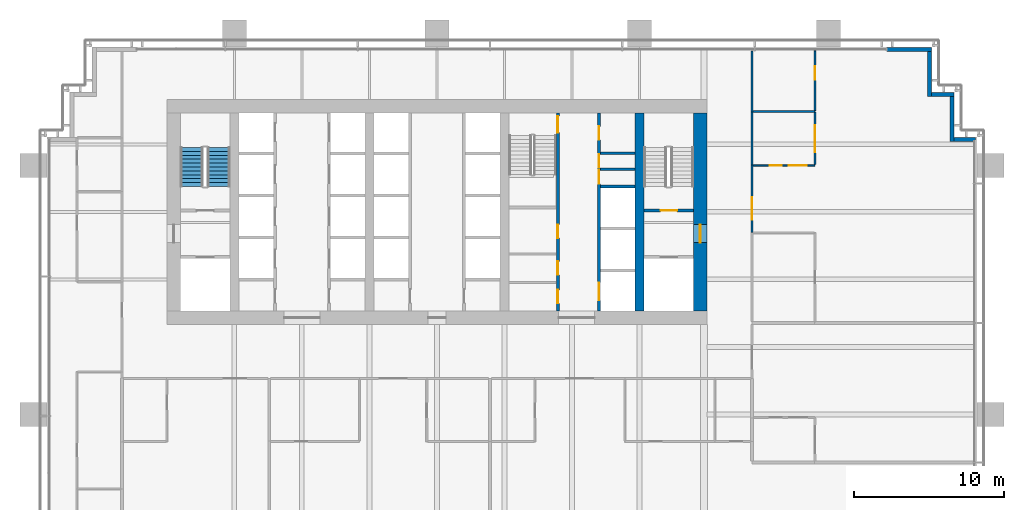
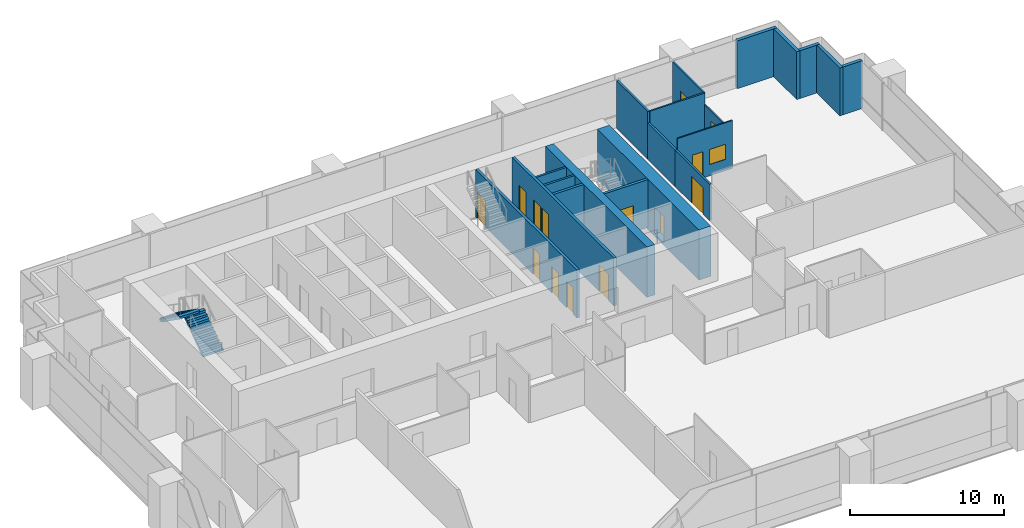
# One storey, part 15 of 19: 20 walls, 13 doors, 2 stair flights, 2 windows, 15 openings, 1 element without a shape of its own.
"""IFC4 building model written with IfcOpenShell, lengths in metres."""

from ifc_helpers import new_model, si_unit, direction, frame, frame_2d, origin, place, context, subcontext, project, spatial, polyline, rectangle, outline, extrude, material, layer, layer_set, type_object, element, fill, aggregate, save


model = new_model("IFC4")

# Units and contexts
model_context = context("Model", 3, precision=1e-05, world=origin(), true_north=direction((0.0, 1.0)))
body_context = subcontext(model_context, "Body", "Model", "MODEL_VIEW")
ifc_project = project(units=[si_unit("LENGTHUNIT", "METRE"), si_unit("AREAUNIT", "SQUARE_METRE"), si_unit("VOLUMEUNIT", "CUBIC_METRE"), si_unit("PLANEANGLEUNIT", "RADIAN"), si_unit("MASSUNIT", "GRAM", prefix="KILO")], contexts=[model_context])

# Site, building, storey
site_placement = place(None, origin())
site = spatial("IfcSite", under=ifc_project, at=site_placement, CompositionType="ELEMENT")
building_placement = place(site_placement, origin())
building = spatial("IfcBuilding", under=site, at=building_placement, Name="Rattan Terrace Tower", CompositionType="ELEMENT")
storey_placement = place(building_placement, frame((0.0, 0.0, 87.699951171875)))
storey = spatial("IfcBuildingStorey", under=building, at=storey_placement, Name="L19", CompositionType="ELEMENT", Elevation=87.699951171875)

# Walls
ifc_material_1 = material(Name="Gypsum board partition")
ifc_layer_1 = layer(ifc_material_1, 0.14990234375)
ifc_layer_set_1 = layer_set([ifc_layer_1], Name="Core partition 150")
wall_type_1 = type_object("IfcWallType", Name="Core partition 150", PredefinedType="PARTITIONING", material=ifc_layer_set_1)
for number, where, z_axis, x_axis, name in (
    (1, (10.89990234375, 2.85595703125, 0.0), (0.0, 0.0, 1.0), (1.0, 0.0, 0.0), "Riser room wall"),
    (2, (10.89990234375, 3.912109375, 0.0), (0.0, 0.0, 1.0), (1.0, 0.0, 0.0), "Riser room wall"),
):
    element("IfcWall", number, at=place(storey_placement, frame(where, z_axis=z_axis, x_axis=x_axis)), inside=storey, type_object=wall_type_1, Name=name, PredefinedType="PARTITIONING", context=body_context, shape_type="SweptSolid", body=[
        extrude(rectangle(XDim=2.300048828125, YDim=0.14990234375, at=frame_2d((1.14990234375, 0.0))), origin(), (0.0, 0.0, 1.0), 3.800048828125),
    ])

# Wall, opening, door
ifc_material_2 = material(Name="Gypsum board partition")
ifc_layer_2 = layer(ifc_material_2, 0.199951171875)
ifc_layer_set_2 = layer_set([ifc_layer_2], Name="Core partition 200")
wall_type_2 = type_object("IfcWallType", Name="Core partition 200", PredefinedType="PARTITIONING", material=ifc_layer_set_2)
wall_1_placement = place(storey_placement, frame((13.800048828125, 0.10009765625, 0.0), z_axis=(0.0, 0.0, 1.0), x_axis=(1.0, 0.0, 0.0)))
wall_1 = element("IfcWall", 3, at=wall_1_placement, inside=storey, type_object=wall_type_2, Name="Stair enclosure wall", PredefinedType="PARTITIONING", context=body_context, shape_type="SweptSolid", body=[
    extrude(rectangle(XDim=3.300048828125, YDim=0.199951171875, at=frame_2d((1.64990234375, 0.0))), origin(), (0.0, 0.0, 1.0), 3.800048828125),
])
opening_1_placement = place(wall_1_placement, frame((1.10009765625, 0.0, 0.0)))
opening_1 = element("IfcOpeningElement", 4, at=opening_1_placement, cuts=wall_1, Name="Opening L19-D004", PredefinedType="OPENING", context=body_context, shape_type="SweptSolid", body=[
    extrude(rectangle(XDim=1.10009765625, YDim=2.10009765625, at=frame_2d((0.550048828125, 1.050048828125))), frame((0.0, 0.110595703125, 0.0), z_axis=(0.0, -1.0, 0.0), x_axis=(1.0, 0.0, 0.0)), (0.0, 0.0, 1.0), 0.220947265625),
])
ifc_material_3 = material(Name="Hollow-metal fire door leaf")
door_type_1 = type_object("IfcDoorType", Name="Core stair door 1100", OperationType="NOTDEFINED", PredefinedType="DOOR", material=ifc_material_3)
door_1_placement = place(opening_1_placement, origin())
door_1 = element("IfcDoor", 5, at=door_1_placement, inside=storey, type_object=door_type_1, Name="Door L19-D004", OperationType="SINGLE_SWING_LEFT", OverallHeight=2.10009765625, OverallWidth=1.10009765625, PredefinedType="DOOR", context=body_context, shape_type="SweptSolid", body=[
    extrude(rectangle(XDim=1.10009765625, YDim=2.10009765625, at=frame_2d((0.550048828125, 1.050048828125))), frame((0.0, 0.02490234375, 0.0), z_axis=(0.0, -1.0, 0.0), x_axis=(1.0, 0.0, 0.0)), (0.0, 0.0, 1.0), 0.050048828125),
])
fill(opening_1, door_1)

# Wall, openings, doors
wall_2_placement = place(storey_placement, frame((8.050048828125, -6.60009765625, 0.0), z_axis=(0.0, 0.0, 1.0), x_axis=(0.0, 1.0, 0.0)))
wall_2 = element("IfcWall", 6, at=wall_2_placement, inside=storey, type_object=wall_type_2, Name="Lobby wall west", PredefinedType="PARTITIONING", context=body_context, shape_type="SweptSolid", body=[
    extrude(rectangle(XDim=13.2001953125, YDim=0.199951171875, at=frame_2d((6.60009765625, 0.0))), origin(), (0.0, 0.0, 1.0), 3.800048828125),
])
opening_2_placement = place(wall_2_placement, frame((0.501953125, 0.0, 0.0)))
opening_2 = element("IfcOpeningElement", 7, at=opening_2_placement, cuts=wall_2, Name="Opening L19-D011", PredefinedType="OPENING", context=body_context, shape_type="SweptSolid", body=[
    extrude(rectangle(XDim=0.89990234375, YDim=2.10009765625, at=frame_2d((0.449951171875, 1.050048828125))), frame((0.0, 0.110595703125, 0.0), z_axis=(0.0, -1.0, 0.0), x_axis=(1.0, 0.0, 0.0)), (0.0, 0.0, 1.0), 0.220947265625),
])
opening_3_placement = place(wall_2_placement, frame((2.406005859375, 0.0, 0.0)))
opening_3 = element("IfcOpeningElement", 8, at=opening_3_placement, cuts=wall_2, Name="Opening L19-D012", PredefinedType="OPENING", context=body_context, shape_type="SweptSolid", body=[
    extrude(rectangle(XDim=0.89990234375, YDim=2.10009765625, at=frame_2d((0.449951171875, 1.050048828125))), frame((0.0, 0.110595703125, 0.0), z_axis=(0.0, -1.0, 0.0), x_axis=(1.0, 0.0, 0.0)), (0.0, 0.0, 1.0), 0.220947265625),
])
opening_4_placement = place(wall_2_placement, frame((4.85400390625, 0.0, 0.0)))
opening_4 = element("IfcOpeningElement", 9, at=opening_4_placement, cuts=wall_2, Name="Opening L19-D013", PredefinedType="OPENING", context=body_context, shape_type="SweptSolid", body=[
    extrude(rectangle(XDim=0.89990234375, YDim=2.10009765625, at=frame_2d((0.449951171875, 1.050048828125))), frame((0.0, 0.110595703125, 0.0), z_axis=(0.0, -1.0, 0.0), x_axis=(1.0, 0.0, 0.0)), (0.0, 0.0, 1.0), 0.220947265625),
])
opening_5_placement = place(wall_2_placement, frame((11.89990234375, 0.0, 0.0)))
opening_5 = element("IfcOpeningElement", 10, at=opening_5_placement, cuts=wall_2, Name="Opening L19-D014", PredefinedType="OPENING", context=body_context, shape_type="SweptSolid", body=[
    extrude(rectangle(XDim=1.10009765625, YDim=2.10009765625, at=frame_2d((0.550048828125, 1.050048828125))), frame((0.0, 0.110595703125, 0.0), z_axis=(0.0, -1.0, 0.0), x_axis=(1.0, 0.0, 0.0)), (0.0, 0.0, 1.0), 0.220947265625),
])
door_2_placement = place(opening_5_placement, origin())
door_2 = element("IfcDoor", 11, at=door_2_placement, inside=storey, type_object=door_type_1, Name="Door L19-D014", OperationType="SINGLE_SWING_RIGHT", OverallHeight=2.10009765625, OverallWidth=1.10009765625, PredefinedType="DOOR", context=body_context, shape_type="SweptSolid", body=[
    extrude(rectangle(XDim=1.10009765625, YDim=2.10009765625, at=frame_2d((0.550048828125, 1.050048828125))), frame((0.0, 0.02490234375, 0.0), z_axis=(0.0, -1.0, 0.0), x_axis=(1.0, 0.0, 0.0)), (0.0, 0.0, 1.0), 0.050048828125),
])
fill(opening_5, door_2)
ifc_material_4 = material(Name="Hollow-metal fire door leaf")
door_type_2 = type_object("IfcDoorType", Name="Core toilet door 900", OperationType="NOTDEFINED", PredefinedType="DOOR", material=ifc_material_4)
door_3_placement = place(opening_2_placement, origin())
door_3 = element("IfcDoor", 12, at=door_3_placement, inside=storey, type_object=door_type_2, Name="Door L19-D011", OperationType="SINGLE_SWING_LEFT", OverallHeight=2.10009765625, OverallWidth=0.89990234375, PredefinedType="DOOR", context=body_context, shape_type="SweptSolid", body=[
    extrude(rectangle(XDim=0.89990234375, YDim=2.10009765625, at=frame_2d((0.449951171875, 1.050048828125))), frame((0.0, 0.02490234375, 0.0), z_axis=(0.0, -1.0, 0.0), x_axis=(1.0, 0.0, 0.0)), (0.0, 0.0, 1.0), 0.050048828125),
])
fill(opening_2, door_3)
door_4_placement = place(opening_3_placement, origin())
door_4 = element("IfcDoor", 13, at=door_4_placement, inside=storey, type_object=door_type_2, Name="Door L19-D012", OperationType="SINGLE_SWING_RIGHT", OverallHeight=2.10009765625, OverallWidth=0.89990234375, PredefinedType="DOOR", context=body_context, shape_type="SweptSolid", body=[
    extrude(rectangle(XDim=0.89990234375, YDim=2.10009765625, at=frame_2d((0.449951171875, 1.050048828125))), frame((0.0, 0.02490234375, 0.0), z_axis=(0.0, -1.0, 0.0), x_axis=(1.0, 0.0, 0.0)), (0.0, 0.0, 1.0), 0.050048828125),
])
fill(opening_3, door_4)
door_5_placement = place(opening_4_placement, origin())
door_5 = element("IfcDoor", 14, at=door_5_placement, inside=storey, type_object=door_type_2, Name="Door L19-D013", OperationType="SINGLE_SWING_LEFT", OverallHeight=2.10009765625, OverallWidth=0.89990234375, PredefinedType="DOOR", context=body_context, shape_type="SweptSolid", body=[
    extrude(rectangle(XDim=0.89990234375, YDim=2.10009765625, at=frame_2d((0.449951171875, 1.050048828125))), frame((0.0, 0.02490234375, 0.0), z_axis=(0.0, -1.0, 0.0), x_axis=(1.0, 0.0, 0.0)), (0.0, 0.0, 1.0), 0.050048828125),
])
fill(opening_4, door_5)

# Wall, opening, door
ifc_material_5 = material(Name="Concrete C70/85", Category="concrete")
ifc_layer_3 = layer(ifc_material_5, 0.89990234375)
ifc_layer_set_3 = layer_set([ifc_layer_3], Name="Core ring wall 900 C70/85")
wall_type_3 = type_object("IfcWallType", Name="Core ring wall 900 C70/85", PredefinedType="SHEAR", material=ifc_layer_set_3)
wall_3_placement = place(storey_placement, frame((17.550048828125, -6.60009765625, -0.199951171875), z_axis=(0.0, 0.0, 1.0), x_axis=(0.0, 1.0, 0.0)))
wall_3 = element("IfcWall", 15, at=wall_3_placement, inside=storey, type_object=wall_type_3, Name="Rear core wall east", PredefinedType="SHEAR", context=body_context, shape_type="SweptSolid", body=[
    extrude(rectangle(XDim=13.2001953125, YDim=0.89990234375, at=frame_2d((6.60009765625, 0.0))), origin(), (0.0, 0.0, 1.0), 4.0),
])
opening_6_placement = place(wall_3_placement, frame((4.550048828125, 0.0, 0.199951171875)))
opening_6 = element("IfcOpeningElement", 16, at=opening_6_placement, cuts=wall_3, Name="Opening L19-D003", PredefinedType="OPENING", context=body_context, shape_type="SweptSolid", body=[
    extrude(rectangle(XDim=1.199951171875, YDim=2.10009765625, at=frame_2d((0.60009765625, 1.050048828125))), frame((0.0, 0.46044921875, 0.0), z_axis=(0.0, -1.0, 0.0), x_axis=(1.0, 0.0, 0.0)), (0.0, 0.0, 1.0), 0.9208984375),
])
ifc_material_6 = material(Name="Hollow-metal fire door leaf")
door_type_3 = type_object("IfcDoorType", Name="Core fire-fighting lobby door 1200", OperationType="NOTDEFINED", PredefinedType="DOOR", material=ifc_material_6)
door_6_placement = place(opening_6_placement, origin())
door_6 = element("IfcDoor", 17, at=door_6_placement, inside=storey, type_object=door_type_3, Name="Door L19-D003", OperationType="SINGLE_SWING_RIGHT", OverallHeight=2.10009765625, OverallWidth=1.199951171875, PredefinedType="DOOR", context=body_context, shape_type="SweptSolid", body=[
    extrude(rectangle(XDim=1.199951171875, YDim=2.10009765625, at=frame_2d((0.60009765625, 1.050048828125))), frame((0.0, 0.02490234375, 0.0), z_axis=(0.0, -1.0, 0.0), x_axis=(1.0, 0.0, 0.0)), (0.0, 0.0, 1.0), 0.050048828125),
])
fill(opening_6, door_6)

# Walls
ifc_material_7 = material(Name="Concrete C70/85", Category="concrete")
ifc_layer_4 = layer(ifc_material_7, 0.60009765625)
ifc_layer_set_4 = layer_set([ifc_layer_4], Name="Core spine wall 600 C70/85")
wall_type_4 = type_object("IfcWallType", Name="Core spine wall 600 C70/85", PredefinedType="SHEAR", material=ifc_layer_set_4)
wall_4_placement = place(storey_placement, frame((13.5, -6.60009765625, -0.199951171875), z_axis=(0.0, 0.0, 1.0), x_axis=(0.0, 1.0, 0.0)))
element("IfcWall", 18, at=wall_4_placement, inside=storey, type_object=wall_type_4, Name="Core spine wall 4", PredefinedType="SHEAR", context=body_context, shape_type="SweptSolid", body=[
    extrude(rectangle(XDim=13.2001953125, YDim=0.60009765625, at=frame_2d((6.60009765625, 0.0))), origin(), (0.0, 0.0, 1.0), 4.0),
])
ifc_material_8 = material(Name="Insulated aluminium-clad stud wall", Category="aluminium")
ifc_layer_5 = layer(ifc_material_8, 0.25)
ifc_layer_set_5 = layer_set([ifc_layer_5], Name="Facade Riser Wall 250")
wall_type_5 = type_object("IfcWallType", Name="Facade Riser Wall 250", PredefinedType="SOLIDWALL", material=ifc_layer_set_5)
wall_5_placement = place(storey_placement, frame((35.909912109375, 4.830078125, 0.0), z_axis=(0.0, 0.0, 1.0), x_axis=(-1.0, 0.0, 0.0)))
element("IfcWall", 19, at=wall_5_placement, inside=storey, type_object=wall_type_5, Name="Riser wall L19-6", PredefinedType="SOLIDWALL", context=body_context, shape_type="SweptSolid", body=[
    extrude(rectangle(XDim=1.454833984375, YDim=0.25, at=frame_2d((0.7275390625, 0.0))), origin(), (0.0, 0.0, 1.0), 3.800048828125),
])
wall_6_placement = place(storey_placement, frame((34.330078125, 4.705078125, 0.0), z_axis=(0.0, 0.0, 1.0), x_axis=(0.0, 1.0, 0.0)))
element("IfcWall", 20, at=wall_6_placement, inside=storey, type_object=wall_type_5, Name="Riser wall L19-7", PredefinedType="SOLIDWALL", context=body_context, shape_type="SweptSolid", body=[
    extrude(rectangle(XDim=3.0, YDim=0.25, at=frame_2d((1.5, 0.0))), origin(), (0.0, 0.0, 1.0), 3.800048828125),
])
wall_7_placement = place(storey_placement, frame((34.455078125, 7.830078125, 0.0), z_axis=(0.0, 0.0, 1.0), x_axis=(-1.0, 0.0, 0.0)))
element("IfcWall", 21, at=wall_7_placement, inside=storey, type_object=wall_type_5, Name="Riser wall L19-8", PredefinedType="SOLIDWALL", context=body_context, shape_type="SweptSolid", body=[
    extrude(rectangle(XDim=1.5, YDim=0.25, at=frame_2d((0.75, 0.0))), origin(), (0.0, 0.0, 1.0), 3.800048828125),
])
wall_8_placement = place(storey_placement, frame((32.830078125, 7.705078125, 0.0), z_axis=(0.0, 0.0, 1.0), x_axis=(0.0, 1.0, 0.0)))
element("IfcWall", 22, at=wall_8_placement, inside=storey, type_object=wall_type_5, Name="Riser wall L19-9", PredefinedType="SOLIDWALL", context=body_context, shape_type="SweptSolid", body=[
    extrude(rectangle(XDim=3.0, YDim=0.25, at=frame_2d((1.5, 0.0))), origin(), (0.0, 0.0, 1.0), 3.800048828125),
])
wall_9_placement = place(storey_placement, frame((32.955078125, 10.830078125, 0.0), z_axis=(0.0, 0.0, 1.0), x_axis=(-1.0, 0.0, 0.0)))
element("IfcWall", 23, at=wall_9_placement, inside=storey, type_object=wall_type_5, Name="Riser wall L19-10", PredefinedType="SOLIDWALL", context=body_context, shape_type="SweptSolid", body=[
    extrude(rectangle(XDim=2.955078125, YDim=0.25, at=frame_2d((1.4775390625, 0.0))), origin(), (0.0, 0.0, 1.0), 3.800048828125),
])

# Wall, openings, door, window
ifc_material_9 = material(Name="Gypsum board partition on steel studs", Category="steel")
ifc_layer_6 = layer(ifc_material_9, 0.10009765625)
ifc_layer_set_6 = layer_set([ifc_layer_6], Name="Floors Partition 100")
wall_type_6 = type_object("IfcWallType", Name="Floors Partition 100", PredefinedType="PARTITIONING", material=ifc_layer_set_6)
wall_10_placement = place(storey_placement, frame((21.074951171875, 3.10009765625, 0.0), z_axis=(0.0, 0.0, 1.0), x_axis=(1.0, 0.0, 0.0)))
wall_10 = element("IfcWall", 24, at=wall_10_placement, inside=storey, type_object=wall_type_6, Name="pt-L19-067", PredefinedType="PARTITIONING", context=body_context, shape_type="SweptSolid", body=[
    extrude(rectangle(XDim=4.125, YDim=0.10009765625, at=frame_2d((2.0625, 0.0))), origin(), (0.0, 0.0, 1.0), 3.800048828125),
])
opening_7_placement = place(wall_10_placement, frame((1.097900390625, 0.0, 0.0)))
opening_7 = element("IfcOpeningElement", 25, at=opening_7_placement, cuts=wall_10, Name="Opening L19-D120", PredefinedType="OPENING", context=body_context, shape_type="SweptSolid", body=[
    extrude(rectangle(XDim=0.800048828125, YDim=2.10009765625, at=frame_2d((0.39990234375, 1.050048828125))), frame((0.0, 0.060546875, 0.0), z_axis=(0.0, -1.0, 0.0), x_axis=(1.0, 0.0, 0.0)), (0.0, 0.0, 1.0), 0.12109375),
])
opening_8_placement = place(wall_10_placement, frame((2.385986328125, 0.0, 0.89990234375)))
opening_8 = element("IfcOpeningElement", 26, at=opening_8_placement, cuts=wall_10, Name="Opening L19-W102", PredefinedType="OPENING", context=body_context, shape_type="SweptSolid", body=[
    extrude(rectangle(XDim=1.199951171875, YDim=1.199951171875, at=frame_2d((0.60009765625, 0.60009765625))), frame((0.0, 0.060546875, 0.0), z_axis=(0.0, -1.0, 0.0), x_axis=(1.0, 0.0, 0.0)), (0.0, 0.0, 1.0), 0.12109375),
])
ifc_material_10 = material(Name="Solid core timber door, painted", Category="wood")
door_type_4 = type_object("IfcDoorType", Name="Floors Store Door 800x2100", OperationType="NOTDEFINED", PredefinedType="DOOR", material=ifc_material_10)
door_7_placement = place(opening_7_placement, origin())
door_7 = element("IfcDoor", 27, at=door_7_placement, inside=storey, type_object=door_type_4, Name="d-L19-120", OperationType="SINGLE_SWING_LEFT", OverallHeight=2.10009765625, OverallWidth=0.800048828125, PredefinedType="DOOR", context=body_context, shape_type="SweptSolid", body=[
    extrude(rectangle(XDim=0.800048828125, YDim=2.10009765625, at=frame_2d((0.39990234375, 1.050048828125))), frame((0.0, 0.02490234375, 0.0), z_axis=(0.0, -1.0, 0.0), x_axis=(1.0, 0.0, 0.0)), (0.0, 0.0, 1.0), 0.050048828125),
])
fill(opening_7, door_7)
ifc_material_11 = material(Name="Glass, clear, fixed in aluminium frame", Category="aluminium")
window_type_1 = type_object("IfcWindowType", Name="Interior Vision Window 1200x1200", PartitioningType="SINGLE_PANEL", PredefinedType="WINDOW", material=ifc_material_11)
window_1_placement = place(opening_8_placement, origin())
window_1 = element("IfcWindow", 28, at=window_1_placement, inside=storey, type_object=window_type_1, Name="w-L19-102", OverallHeight=1.199951171875, OverallWidth=1.199951171875, PartitioningType="SINGLE_PANEL", PredefinedType="WINDOW", context=body_context, shape_type="SweptSolid", body=[
    extrude(rectangle(XDim=1.199951171875, YDim=1.199951171875, at=frame_2d((0.60009765625, 0.60009765625))), frame((0.0, 0.030029296875, 0.0), z_axis=(0.0, -1.0, 0.0), x_axis=(1.0, 0.0, 0.0)), (0.0, 0.0, 1.0), 0.06005859375),
])
fill(opening_8, window_1)

# Wall, opening, window
wall_11_placement = place(storey_placement, frame((25.199951171875, 3.14990234375, 0.0), z_axis=(0.0, 0.0, 1.0), x_axis=(0.0, 1.0, 0.0)))
wall_11 = element("IfcWall", 29, at=wall_11_placement, inside=storey, type_object=wall_type_6, Name="pt-L19-068", PredefinedType="PARTITIONING", context=body_context, shape_type="SweptSolid", body=[
    extrude(rectangle(XDim=3.530029296875, YDim=0.10009765625, at=frame_2d((1.76513671875, 0.0))), origin(), (0.0, 0.0, 1.0), 2.900146484375),
])
opening_9_placement = place(wall_11_placement, frame((0.844970703125, 0.0, 0.89990234375)))
opening_9 = element("IfcOpeningElement", 30, at=opening_9_placement, cuts=wall_11, Name="Opening L19-W103", PredefinedType="OPENING", context=body_context, shape_type="SweptSolid", body=[
    extrude(rectangle(XDim=1.800048828125, YDim=1.199951171875, at=frame_2d((0.89990234375, 0.60009765625))), frame((0.0, 0.060546875, 0.0), z_axis=(0.0, -1.0, 0.0), x_axis=(1.0, 0.0, 0.0)), (0.0, 0.0, 1.0), 0.12109375),
])
ifc_material_12 = material(Name="Glass, clear, fixed in aluminium frame", Category="aluminium")
window_type_2 = type_object("IfcWindowType", Name="Interior Vision Window 1800x1200", PartitioningType="SINGLE_PANEL", PredefinedType="WINDOW", material=ifc_material_12)
window_2_placement = place(opening_9_placement, origin())
window_2 = element("IfcWindow", 31, at=window_2_placement, inside=storey, type_object=window_type_2, Name="w-L19-103", OverallHeight=1.199951171875, OverallWidth=1.800048828125, PartitioningType="SINGLE_PANEL", PredefinedType="WINDOW", context=body_context, shape_type="SweptSolid", body=[
    extrude(rectangle(XDim=1.800048828125, YDim=1.199951171875, at=frame_2d((0.89990234375, 0.60009765625))), frame((0.0, 0.030029296875, 0.0), z_axis=(0.0, -1.0, 0.0), x_axis=(1.0, 0.0, 0.0)), (0.0, 0.0, 1.0), 0.06005859375),
])
fill(opening_9, window_2)

# Wall, opening, door
ifc_material_13 = material(Name="Gypsum board partition on steel studs, fire rated", Category="steel")
ifc_layer_7 = layer(ifc_material_13, 0.14990234375)
ifc_layer_set_7 = layer_set([ifc_layer_7], Name="Floors Tenancy Wall 150")
wall_type_7 = type_object("IfcWallType", Name="Floors Tenancy Wall 150", PredefinedType="PARTITIONING", material=ifc_layer_set_7)
wall_12_placement = place(storey_placement, frame((21.0, 3.1201171875, 0.0), z_axis=(0.0, 0.0, 1.0), x_axis=(0.0, -1.0, 0.0)))
wall_12 = element("IfcWall", 32, at=wall_12_placement, inside=storey, type_object=wall_type_7, Name="pt-L19-016", PredefinedType="PARTITIONING", context=body_context, shape_type="SweptSolid", body=[
    extrude(rectangle(XDim=4.5, YDim=0.14990234375, at=frame_2d((2.25, 0.0))), origin(), (0.0, 0.0, 1.0), 2.900146484375),
])
opening_10_placement = place(wall_12_placement, frame((2.125, 0.0, 0.0)))
opening_10 = element("IfcOpeningElement", 33, at=opening_10_placement, cuts=wall_12, Name="Opening L19-D118", PredefinedType="OPENING", context=body_context, shape_type="SweptSolid", body=[
    extrude(rectangle(XDim=1.5, YDim=2.10009765625, at=frame_2d((0.75, 1.050048828125))), frame((0.0, 0.08544921875, 0.0), z_axis=(0.0, -1.0, 0.0), x_axis=(1.0, 0.0, 0.0)), (0.0, 0.0, 1.0), 0.1708984375),
])
ifc_material_14 = material(Name="Steel fire door set", Category="steel")
door_type_5 = type_object("IfcDoorType", Name="Floors Unit Door Pair FD30S 1500x2100", OperationType="NOTDEFINED", PredefinedType="DOOR", material=ifc_material_14)
door_8_placement = place(opening_10_placement, origin())
door_8 = element("IfcDoor", 34, at=door_8_placement, inside=storey, type_object=door_type_5, Name="d-L19-118", OperationType="DOUBLE_DOOR_SINGLE_SWING", OverallHeight=2.10009765625, OverallWidth=1.5, PredefinedType="DOOR", context=body_context, shape_type="SweptSolid", body=[
    extrude(rectangle(XDim=1.5, YDim=2.10009765625, at=frame_2d((0.75, 1.050048828125))), frame((0.0, 0.02490234375, 0.0), z_axis=(0.0, -1.0, 0.0), x_axis=(1.0, 0.0, 0.0)), (0.0, 0.0, 1.0), 0.050048828125),
])
fill(opening_10, door_8)

# Walls
wall_13_placement = place(storey_placement, frame((21.0, 6.679931640625, 0.0), z_axis=(0.0, 0.0, 1.0), x_axis=(0.0, -1.0, 0.0)))
element("IfcWall", 35, at=wall_13_placement, inside=storey, type_object=wall_type_7, Name="pt-L19-018", PredefinedType="PARTITIONING", context=body_context, shape_type="SweptSolid", body=[
    extrude(rectangle(XDim=3.559814453125, YDim=0.14990234375, at=frame_2d((1.77978515625, 0.0))), origin(), (0.0, 0.0, 1.0), 2.900146484375),
])
wall_14_placement = place(storey_placement, frame((21.0, 10.739990234375, 0.0), z_axis=(0.0, 0.0, 1.0), x_axis=(0.0, -1.0, 0.0)))
element("IfcWall", 36, at=wall_14_placement, inside=storey, type_object=wall_type_7, Name="pt-L19-019", PredefinedType="PARTITIONING", context=body_context, shape_type="SweptSolid", body=[
    extrude(rectangle(XDim=4.06005859375, YDim=0.14990234375, at=frame_2d((2.030029296875, 0.0))), origin(), (0.0, 0.0, 1.0), 3.800048828125),
])

# Wall, opening, door
ifc_material_15 = material(Name="Moisture resistant gypsum board partition on steel studs with service cavity", Category="steel")
ifc_layer_8 = layer(ifc_material_15, 0.1201171875)
ifc_layer_set_8 = layer_set([ifc_layer_8], Name="Floors Wet Wall 120")
wall_type_8 = type_object("IfcWallType", Name="Floors Wet Wall 120", PredefinedType="PARTITIONING", material=ifc_layer_set_8)
wall_15_placement = place(storey_placement, frame((25.199951171875, 6.760009765625, 0.0), z_axis=(0.0, 0.0, 1.0), x_axis=(0.0, 1.0, 0.0)))
wall_15 = element("IfcWall", 37, at=wall_15_placement, inside=storey, type_object=wall_type_8, Name="pt-L19-069", PredefinedType="PARTITIONING", context=body_context, shape_type="SweptSolid", body=[
    extrude(rectangle(XDim=3.97998046875, YDim=0.1201171875, at=frame_2d((1.989990234375, 0.0))), origin(), (0.0, 0.0, 1.0), 3.800048828125),
])
opening_11_placement = place(wall_15_placement, frame((2.055908203125, 0.0, 0.0)))
opening_11 = element("IfcOpeningElement", 38, at=opening_11_placement, cuts=wall_15, Name="Opening L19-D121", PredefinedType="OPENING", context=body_context, shape_type="SweptSolid", body=[
    extrude(rectangle(XDim=0.89990234375, YDim=2.10009765625, at=frame_2d((0.449951171875, 1.050048828125))), frame((0.0, 0.070556640625, 0.0), z_axis=(0.0, -1.0, 0.0), x_axis=(1.0, 0.0, 0.0)), (0.0, 0.0, 1.0), 0.14111328125),
])
ifc_material_16 = material(Name="Solid core timber door, painted", Category="wood")
door_type_6 = type_object("IfcDoorType", Name="Floors Door 900x2100", OperationType="NOTDEFINED", PredefinedType="DOOR", material=ifc_material_16)
door_9_placement = place(opening_11_placement, origin())
door_9 = element("IfcDoor", 39, at=door_9_placement, inside=storey, type_object=door_type_6, Name="d-L19-121", OperationType="SINGLE_SWING_RIGHT", OverallHeight=2.10009765625, OverallWidth=0.89990234375, PredefinedType="DOOR", context=body_context, shape_type="SweptSolid", body=[
    extrude(rectangle(XDim=0.89990234375, YDim=2.10009765625, at=frame_2d((0.449951171875, 1.050048828125))), frame((0.0, 0.02490234375, 0.0), z_axis=(0.0, -1.0, 0.0), x_axis=(1.0, 0.0, 0.0)), (0.0, 0.0, 1.0), 0.050048828125),
])
fill(opening_11, door_9)

# Wall
wall_16_placement = place(storey_placement, frame((21.074951171875, 6.699951171875, 0.0), z_axis=(0.0, 0.0, 1.0), x_axis=(1.0, 0.0, 0.0)))
element("IfcWall", 40, at=wall_16_placement, inside=storey, type_object=wall_type_8, Name="pt-L19-070", PredefinedType="PARTITIONING", context=body_context, shape_type="SweptSolid", body=[
    extrude(rectangle(XDim=4.125, YDim=0.1201171875, at=frame_2d((2.0625, 0.0))), origin(), (0.0, 0.0, 1.0), 3.800048828125),
])

# Wall, openings, doors
ifc_material_17 = material(Name="Gypsum shaft wall system")
ifc_layer_9 = layer(ifc_material_17, 0.199951171875)
ifc_layer_set_9 = layer_set([ifc_layer_9], Name="Lift shaft wall 200")
wall_type_9 = type_object("IfcWallType", Name="Lift shaft wall 200", PredefinedType="PARTITIONING", material=ifc_layer_set_9)
wall_17_placement = place(storey_placement, frame((10.800048828125, -6.60009765625, 0.0), z_axis=(0.0, 0.0, 1.0), x_axis=(0.0, 1.0, 0.0)))
wall_17 = element("IfcWall", 41, at=wall_17_placement, inside=storey, type_object=wall_type_9, Name="Lift shaft front wall", PredefinedType="PARTITIONING", context=body_context, shape_type="SweptSolid", body=[
    extrude(rectangle(XDim=13.2001953125, YDim=0.199951171875, at=frame_2d((6.60009765625, 0.0))), origin(), (0.0, 0.0, 1.0), 3.800048828125),
])
opening_12_placement = place(wall_17_placement, frame((0.699951171875, 0.0, 0.0)))
opening_12 = element("IfcOpeningElement", 42, at=opening_12_placement, cuts=wall_17, Name="Opening L19-LD-SV1", PredefinedType="OPENING", context=body_context, shape_type="SweptSolid", body=[
    extrude(rectangle(XDim=1.199951171875, YDim=2.10009765625, at=frame_2d((0.60009765625, 1.050048828125))), frame((0.0, 0.110595703125, 0.0), z_axis=(0.0, -1.0, 0.0), x_axis=(1.0, 0.0, 0.0)), (0.0, 0.0, 1.0), 0.220947265625),
])
opening_13_placement = place(wall_17_placement, frame((8.47802734375, 0.0, 0.0)))
opening_13 = element("IfcOpeningElement", 43, at=opening_13_placement, cuts=wall_17, Name="Opening L19-D016", PredefinedType="OPENING", context=body_context, shape_type="SweptSolid", body=[
    extrude(rectangle(XDim=0.89990234375, YDim=2.10009765625, at=frame_2d((0.449951171875, 1.050048828125))), frame((0.0, 0.110595703125, 0.0), z_axis=(0.0, -1.0, 0.0), x_axis=(1.0, 0.0, 0.0)), (0.0, 0.0, 1.0), 0.220947265625),
])
opening_14_placement = place(wall_17_placement, frame((9.533935546875, 0.0, 0.0)))
opening_14 = element("IfcOpeningElement", 44, at=opening_14_placement, cuts=wall_17, Name="Opening L19-D017", PredefinedType="OPENING", context=body_context, shape_type="SweptSolid", body=[
    extrude(rectangle(XDim=0.89990234375, YDim=2.10009765625, at=frame_2d((0.449951171875, 1.050048828125))), frame((0.0, 0.110595703125, 0.0), z_axis=(0.0, -1.0, 0.0), x_axis=(1.0, 0.0, 0.0)), (0.0, 0.0, 1.0), 0.220947265625),
])
opening_15_placement = place(wall_17_placement, frame((11.406005859375, 0.0, 0.0)))
opening_15 = element("IfcOpeningElement", 45, at=opening_15_placement, cuts=wall_17, Name="Opening L19-D018", PredefinedType="OPENING", context=body_context, shape_type="SweptSolid", body=[
    extrude(rectangle(XDim=0.89990234375, YDim=2.10009765625, at=frame_2d((0.449951171875, 1.050048828125))), frame((0.0, 0.110595703125, 0.0), z_axis=(0.0, -1.0, 0.0), x_axis=(1.0, 0.0, 0.0)), (0.0, 0.0, 1.0), 0.220947265625),
])
ifc_material_18 = material(Name="Brushed stainless landing door panel")
door_type_7 = type_object("IfcDoorType", Name="Core lift landing door 1200", OperationType="DOUBLE_DOOR_SLIDING", PredefinedType="DOOR", material=ifc_material_18)
door_10_placement = place(opening_12_placement, origin())
door_10 = element("IfcDoor", 46, at=door_10_placement, inside=storey, type_object=door_type_7, Name="Door L19-LD-SV1", OperationType="DOUBLE_DOOR_SLIDING", OverallHeight=2.10009765625, OverallWidth=1.199951171875, PredefinedType="DOOR", context=body_context, shape_type="SweptSolid", body=[
    extrude(rectangle(XDim=1.199951171875, YDim=2.10009765625, at=frame_2d((0.60009765625, 1.050048828125))), frame((0.0, 0.02490234375, 0.0), z_axis=(0.0, -1.0, 0.0), x_axis=(1.0, 0.0, 0.0)), (0.0, 0.0, 1.0), 0.050048828125),
])
fill(opening_12, door_10)
ifc_material_19 = material(Name="Hollow-metal fire door leaf")
door_type_8 = type_object("IfcDoorType", Name="Core riser door 900", OperationType="NOTDEFINED", PredefinedType="DOOR", material=ifc_material_19)
door_11_placement = place(opening_13_placement, origin())
door_11 = element("IfcDoor", 47, at=door_11_placement, inside=storey, type_object=door_type_8, Name="Door L19-D016", OperationType="SINGLE_SWING_LEFT", OverallHeight=2.10009765625, OverallWidth=0.89990234375, PredefinedType="DOOR", context=body_context, shape_type="SweptSolid", body=[
    extrude(rectangle(XDim=0.89990234375, YDim=2.10009765625, at=frame_2d((0.449951171875, 1.050048828125))), frame((0.0, 0.02490234375, 0.0), z_axis=(0.0, -1.0, 0.0), x_axis=(1.0, 0.0, 0.0)), (0.0, 0.0, 1.0), 0.050048828125),
])
fill(opening_13, door_11)
door_12_placement = place(opening_14_placement, origin())
door_12 = element("IfcDoor", 48, at=door_12_placement, inside=storey, type_object=door_type_8, Name="Door L19-D017", OperationType="SINGLE_SWING_RIGHT", OverallHeight=2.10009765625, OverallWidth=0.89990234375, PredefinedType="DOOR", context=body_context, shape_type="SweptSolid", body=[
    extrude(rectangle(XDim=0.89990234375, YDim=2.10009765625, at=frame_2d((0.449951171875, 1.050048828125))), frame((0.0, 0.02490234375, 0.0), z_axis=(0.0, -1.0, 0.0), x_axis=(1.0, 0.0, 0.0)), (0.0, 0.0, 1.0), 0.050048828125),
])
fill(opening_14, door_12)
ifc_material_20 = material(Name="Hollow-metal fire door leaf")
door_type_9 = type_object("IfcDoorType", Name="Core service room door 900", OperationType="NOTDEFINED", PredefinedType="DOOR", material=ifc_material_20)
door_13_placement = place(opening_15_placement, origin())
door_13 = element("IfcDoor", 49, at=door_13_placement, inside=storey, type_object=door_type_9, Name="Door L19-D018", OperationType="SINGLE_SWING_LEFT", OverallHeight=2.10009765625, OverallWidth=0.89990234375, PredefinedType="DOOR", context=body_context, shape_type="SweptSolid", body=[
    extrude(rectangle(XDim=0.89990234375, YDim=2.10009765625, at=frame_2d((0.449951171875, 1.050048828125))), frame((0.0, 0.02490234375, 0.0), z_axis=(0.0, -1.0, 0.0), x_axis=(1.0, 0.0, 0.0)), (0.0, 0.0, 1.0), 0.050048828125),
])
fill(opening_15, door_13)

# Wall
wall_18_placement = place(storey_placement, frame((10.89990234375, 1.699951171875, 0.0), z_axis=(0.0, 0.0, 1.0), x_axis=(1.0, 0.0, 0.0)))
element("IfcWall", 50, at=wall_18_placement, inside=storey, type_object=wall_type_9, Name="Lift shaft wall", PredefinedType="PARTITIONING", context=body_context, shape_type="SweptSolid", body=[
    extrude(rectangle(XDim=2.300048828125, YDim=0.199951171875, at=frame_2d((1.14990234375, 0.0))), origin(), (0.0, 0.0, 1.0), 3.800048828125),
])

# Stair, stair flights
ifc_material_21 = material(Name="Concrete C40/50", Category="concrete")
stair_type = type_object("IfcStairType", Name="Core exit stair 1500", PredefinedType="HALF_TURN_STAIR", material=ifc_material_21)
stair_placement = place(storey_placement, origin())
stair = element("IfcStair", 51, at=stair_placement, inside=storey, type_object=stair_type, Name="L19 exit stair 1", PredefinedType="HALF_TURN_STAIR")
ifc_material_22 = material(Name="Concrete C40/50", Category="concrete")
stair_flight_type = type_object("IfcStairFlightType", Name="Core exit stair flight 1500", PredefinedType="STRAIGHT", material=ifc_material_22)
stair_flight_1_placement = place(storey_placement, frame((-14.550048828125, 1.699951171875, 0.0), z_axis=(0.0, 0.0, 1.0), x_axis=(0.0, 1.0, 0.0)))
stair_flight_1 = element("IfcStairFlight", 52, at=stair_flight_1_placement, type_object=stair_flight_type, Name="S1 flight 1", NumberOfRisers=11, NumberOfTreads=10, PredefinedType="STRAIGHT", RiserHeight=0.181818182, TreadLength=0.26, context=body_context, shape_type="SweptSolid", body=[
    extrude(outline(polyline([(0.0, 0.0), (0.0, 0.181884765625), (0.260009765625, 0.181884765625), (0.260009765625, 0.363525390625), (0.52001953125, 0.363525390625), (0.52001953125, 0.54541015625), (0.780029296875, 0.54541015625), (0.780029296875, 0.727294921875), (1.0400390625, 0.727294921875), (1.0400390625, 0.9091796875), (1.300048828125, 0.9091796875), (1.300048828125, 1.0908203125), (1.56005859375, 1.0908203125), (1.56005859375, 1.272705078125), (1.820068359375, 1.272705078125), (1.820068359375, 1.45458984375), (2.080078125, 1.45458984375), (2.080078125, 1.636474609375), (2.340087890625, 1.636474609375), (2.340087890625, 1.818115234375), (2.60009765625, 1.818115234375), (2.60009765625, 2.0), (2.60009765625, 1.63525390625), (0.261474609375, 0.0), (0.0, 0.0)])), frame((0.0, 0.75, 0.0), z_axis=(0.0, -1.0, 0.0), x_axis=(1.0, 0.0, 0.0)), (0.0, 0.0, 1.0), 1.5),
])
stair_flight_2_placement = place(storey_placement, frame((-16.35009765625, 4.300048828125, 2.0), z_axis=(0.0, 0.0, 1.0), x_axis=(0.0, -1.0, 0.0)))
stair_flight_2 = element("IfcStairFlight", 53, at=stair_flight_2_placement, type_object=stair_flight_type, Name="S1 flight 2", NumberOfRisers=11, NumberOfTreads=10, PredefinedType="STRAIGHT", RiserHeight=0.181818182, TreadLength=0.26, context=body_context, shape_type="SweptSolid", body=[
    extrude(outline(polyline([(0.0, 0.0), (0.0, 0.181884765625), (0.260009765625, 0.181884765625), (0.260009765625, 0.363525390625), (0.52001953125, 0.363525390625), (0.52001953125, 0.54541015625), (0.780029296875, 0.54541015625), (0.780029296875, 0.727294921875), (1.0400390625, 0.727294921875), (1.0400390625, 0.9091796875), (1.300048828125, 0.9091796875), (1.300048828125, 1.0908203125), (1.56005859375, 1.0908203125), (1.56005859375, 1.272705078125), (1.820068359375, 1.272705078125), (1.820068359375, 1.45458984375), (2.080078125, 1.45458984375), (2.080078125, 1.636474609375), (2.340087890625, 1.636474609375), (2.340087890625, 1.818115234375), (2.60009765625, 1.818115234375), (2.60009765625, 2.0), (2.60009765625, 1.63525390625), (0.261474609375, 0.0), (0.0, 0.0)])), frame((0.0, 0.75, 0.0), z_axis=(0.0, -1.0, 0.0), x_axis=(1.0, 0.0, 0.0)), (0.0, 0.0, 1.0), 1.5),
])
aggregate(stair, [stair_flight_1, stair_flight_2])

save(model, "model.ifc")
